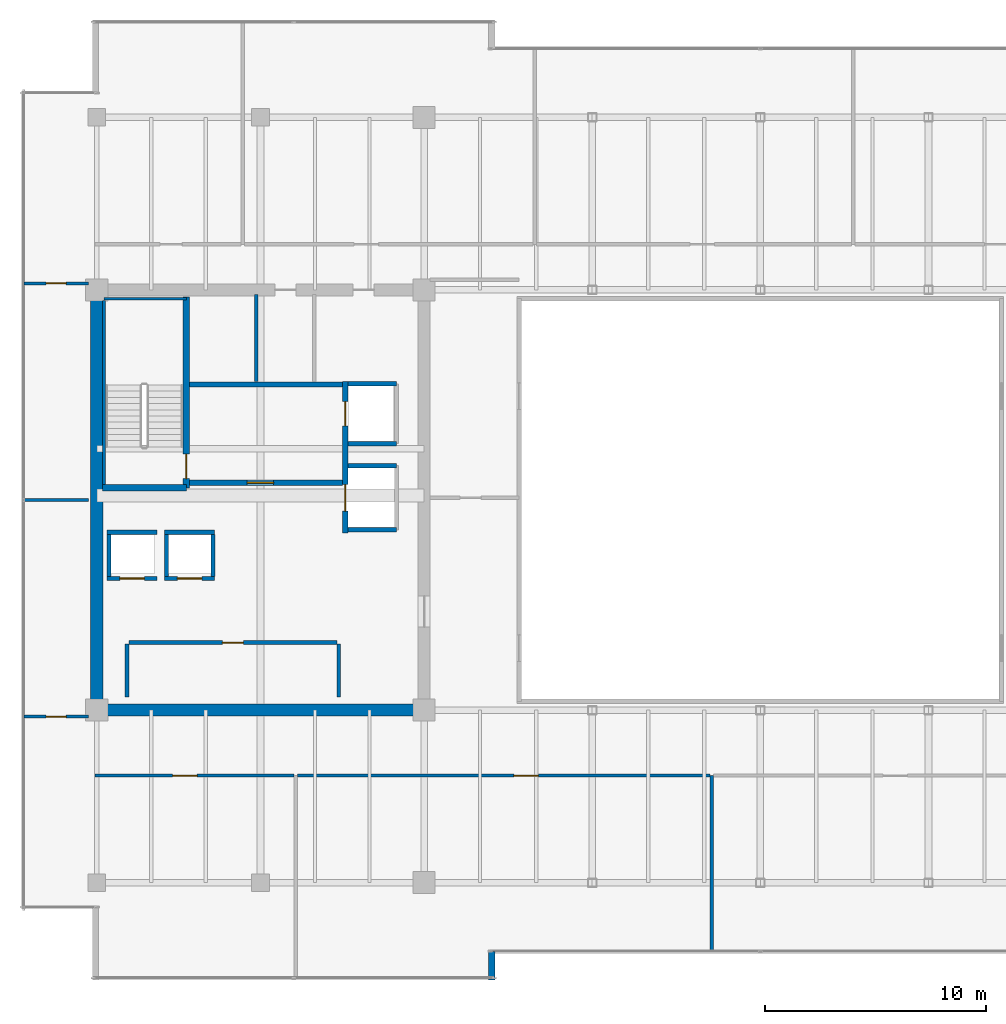
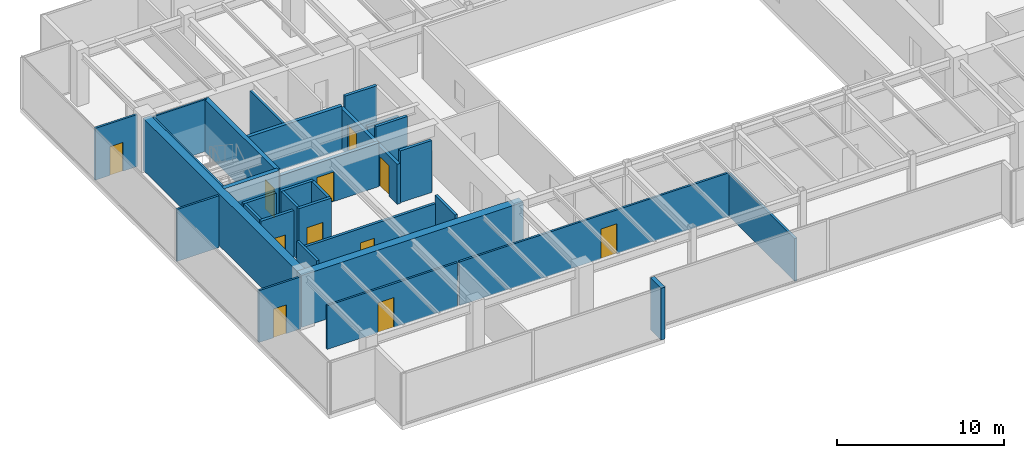
# One storey, part 28 of 33: 31 walls, 11 doors, 11 openings.
"""IFC4 building model written with IfcOpenShell, lengths in metres."""

from ifc_helpers import new_model, si_unit, direction, frame, frame_2d, origin, place, context, subcontext, project, spatial, rectangle, extrude, source, transform, mapped, material, layer, layer_set, type_object, type_shapes, element, fill, save


model = new_model("IFC4")

# Units and contexts
model_context = context("Model", 3, precision=1e-05, world=origin(), true_north=direction((0.0, 1.0)))
body_context = subcontext(model_context, "Body", "Model", "MODEL_VIEW")
ifc_project = project(units=[si_unit("LENGTHUNIT", "METRE"), si_unit("AREAUNIT", "SQUARE_METRE"), si_unit("VOLUMEUNIT", "CUBIC_METRE"), si_unit("PLANEANGLEUNIT", "RADIAN"), si_unit("MASSUNIT", "GRAM", prefix="KILO")], contexts=[model_context])

# Site, building, storey
site_placement = place(None, origin())
site = spatial("IfcSite", under=ifc_project, at=site_placement, CompositionType="ELEMENT")
building_placement = place(site_placement, origin())
building = spatial("IfcBuilding", under=site, at=building_placement, Name="Haelvirn Gate Laboratories", CompositionType="ELEMENT")
storey_placement = place(building_placement, frame((0.0, 0.0, 213.699951171875)))
storey = spatial("IfcBuildingStorey", under=building, at=storey_placement, Name="L51", CompositionType="ELEMENT", Elevation=213.699951171875)

# Walls
ifc_material_1 = material(Name="Thermally-broken bronze aluminium rainscreen & mineral wool", Category="aluminium")
ifc_layer_1 = layer(ifc_material_1, 0.280029296875, Name="EW-TERR-280")
ifc_layer_set_1 = layer_set([ifc_layer_1], Name="Thermally-broken bronze aluminium rainscreen & mineral wool")
wall_type_1 = type_object("IfcWallType", Name="EW-TERR-280", PredefinedType="STANDARD", material=ifc_layer_set_1)
wall_1_placement = place(storey_placement, frame((25.260009765625, 2.60009765625, 0.0), z_axis=(0.0, 0.0, 1.0), x_axis=(0.0, 1.0, 0.0)))
element("IfcWall", 1, at=wall_1_placement, inside=storey, type_object=wall_type_1, Name="L51 Atrium Recess Bronze Return Wall 01", PredefinedType="STANDARD", context=body_context, shape_type="SweptSolid", body=[
    extrude(rectangle(XDim=1.29296875, YDim=0.280029296875, at=frame_2d((0.646484375, 0.0))), origin(), (0.0, 0.0, 1.0), 3.800048828125),
])
ifc_material_2 = material(Name="Double-layer acoustic gypsum laboratory partition", Category="gypsum")
ifc_layer_2 = layer(ifc_material_2, 0.159912109375, Name="IW-ACOUST-160")
ifc_layer_set_2 = layer_set([ifc_layer_2], Name="Double-layer acoustic gypsum laboratory partition")
wall_type_2 = type_object("IfcWallType", Name="IW-ACOUST-160", PredefinedType="PARTITIONING", material=ifc_layer_set_2)
wall_2_placement = place(storey_placement, frame((35.199951171875, 3.909912109375, 0.0), z_axis=(0.0, 0.0, 1.0), x_axis=(0.0, 1.0, 0.0)))
element("IfcWall", 2, at=wall_2_placement, inside=storey, type_object=wall_type_2, Name="L51 Interior Wall IW-L51-SDIV-02", PredefinedType="PARTITIONING", context=body_context, shape_type="SweptSolid", body=[
    extrude(rectangle(XDim=7.93017578125, YDim=0.159912109375, at=frame_2d((3.965087890625, 0.0))), origin(), (0.0, 0.0, 1.0), 3.135009765625),
])

# Wall, opening, door
ifc_material_3 = material(Name="Acoustic mineral-wool gypsum board partition", Category="gypsum")
ifc_layer_3 = layer(ifc_material_3, 0.139892578125, Name="IW-PART-140")
ifc_layer_set_3 = layer_set([ifc_layer_3], Name="Acoustic mineral-wool gypsum board partition")
wall_type_3 = type_object("IfcWallType", Name="IW-PART-140", PredefinedType="PARTITIONING", material=ifc_layer_set_3)
wall_3_placement = place(storey_placement, frame((7.31005859375, 11.840087890625, 0.0), z_axis=(0.0, 0.0, 1.0), x_axis=(1.0, 0.0, 0.0)))
wall_3 = element("IfcWall", 3, at=wall_3_placement, inside=storey, type_object=wall_type_3, Name="L51 Interior Wall IW-L51-SCORR-01", PredefinedType="PARTITIONING", context=body_context, shape_type="SweptSolid", body=[
    extrude(rectangle(XDim=9.010009765625, YDim=0.139892578125, at=frame_2d((4.5048828125, 0.0))), origin(), (0.0, 0.0, 1.0), 3.197021484375),
])
opening_1_placement = place(wall_3_placement, frame((3.5224609375, 0.0, 0.0)))
opening_1 = element("IfcOpeningElement", 4, at=opening_1_placement, cuts=wall_3, Name="Opening D1", PredefinedType="OPENING", context=body_context, shape_type="SweptSolid", body=[
    extrude(rectangle(XDim=1.10009765625, YDim=2.179931640625, at=frame_2d((0.550048828125, 1.08984375))), frame((0.0, 0.080078125, 0.0), z_axis=(0.0, -1.0, 0.0), x_axis=(1.0, 0.0, 0.0)), (0.0, 0.0, 1.0), 0.159912109375),
])
ifc_material_4 = material(Name="Vision-panel acoustic solid-core timber lab door", Category="wood")
door_type_1 = type_object("IfcDoorType", Name="DR-LAB-1100", OperationType="NOTDEFINED", PredefinedType="DOOR", material=ifc_material_4)
shared_shape_1 = source(origin(), body_context, "Body", "SweptSolid", [
    extrude(rectangle(XDim=1.10009765625, YDim=2.179931640625, at=frame_2d((0.550048828125, 1.08984375))), frame((0.0, 0.02490234375, 0.0), z_axis=(0.0, -1.0, 0.0), x_axis=(1.0, 0.0, 0.0)), (0.0, 0.0, 1.0), 0.050048828125),
])
type_shapes(door_type_1, [shared_shape_1])
door_1_placement = place(opening_1_placement, origin())
door_1 = element("IfcDoor", 5, at=door_1_placement, inside=storey, type_object=door_type_1, Name="L51 Bioinformatics Dry-Lab Workspace Door S1", OperationType="SINGLE_SWING_RIGHT", OverallHeight=2.179931640625, OverallWidth=1.10009765625, PredefinedType="DOOR", context=body_context, shape_type="MappedRepresentation", body=[
    mapped(shared_shape_1, transform((0.0, 0.0, 0.0), scale=1.0)),
])
fill(opening_1, door_1)

wall_4_placement = place(storey_placement, frame((16.47998046875, 11.840087890625, 0.0), z_axis=(0.0, 0.0, 1.0), x_axis=(1.0, 0.0, 0.0)))
wall_4 = element("IfcWall", 6, at=wall_4_placement, inside=storey, type_object=wall_type_3, Name="L51 Interior Wall IW-L51-SCORR-02", PredefinedType="PARTITIONING", context=body_context, shape_type="SweptSolid", body=[
    extrude(rectangle(XDim=18.64013671875, YDim=0.139892578125, at=frame_2d((9.320068359375, 0.0))), origin(), (0.0, 0.0, 1.0), 3.197021484375),
])
opening_2_placement = place(wall_4_placement, frame((9.780517578125, 0.0, 0.0)))
opening_2 = element("IfcOpeningElement", 7, at=opening_2_placement, cuts=wall_4, Name="Opening D1", PredefinedType="OPENING", context=body_context, shape_type="SweptSolid", body=[
    extrude(rectangle(XDim=1.10009765625, YDim=2.179931640625, at=frame_2d((0.550048828125, 1.08984375))), frame((0.0, 0.080078125, 0.0), z_axis=(0.0, -1.0, 0.0), x_axis=(1.0, 0.0, 0.0)), (0.0, 0.0, 1.0), 0.159912109375),
])
door_2_placement = place(opening_2_placement, origin())
door_2 = element("IfcDoor", 8, at=door_2_placement, inside=storey, type_object=door_type_1, Name="L51 Translational Data Office Door S2", OperationType="SINGLE_SWING_LEFT", OverallHeight=2.179931640625, OverallWidth=1.10009765625, PredefinedType="DOOR", context=body_context, shape_type="MappedRepresentation", body=[
    mapped(shared_shape_1, transform((0.0, 0.0, 0.0), scale=1.0)),
])
fill(opening_2, door_2)

# Wall
wall_5_placement = place(storey_placement, frame((4.110107421875, 24.300048828125, 0.0), z_axis=(0.0, 0.0, 1.0), x_axis=(1.0, 0.0, 0.0)))
element("IfcWall", 9, at=wall_5_placement, inside=storey, type_object=wall_type_3, Name="L51 Interior Wall IW-L51-WZ3-MID", PredefinedType="PARTITIONING", context=body_context, shape_type="SweptSolid", body=[
    extrude(rectangle(XDim=2.909912109375, YDim=0.139892578125, at=frame_2d((1.455078125, 0.0))), origin(), (0.0, 0.0, 1.0), 3.800048828125),
])

# Wall, opening, door
wall_6_placement = place(storey_placement, frame((4.110107421875, 14.5048828125, 0.0), z_axis=(0.0, 0.0, 1.0), x_axis=(1.0, 0.0, 0.0)))
wall_6 = element("IfcWall", 10, at=wall_6_placement, inside=storey, type_object=wall_type_3, Name="L51 Interior Wall IW-L51-WZ3-ENT-S", PredefinedType="PARTITIONING", context=body_context, shape_type="SweptSolid", body=[
    extrude(rectangle(XDim=2.909912109375, YDim=0.139892578125, at=frame_2d((1.455078125, 0.0))), origin(), (0.0, 0.0, 1.0), 3.800048828125),
])
opening_3_placement = place(wall_6_placement, frame((1.0048828125, 0.0, 0.0)))
opening_3 = element("IfcOpeningElement", 11, at=opening_3_placement, cuts=wall_6, Name="Opening D4", PredefinedType="OPENING", context=body_context, shape_type="SweptSolid", body=[
    extrude(rectangle(XDim=0.89990234375, YDim=2.10009765625, at=frame_2d((0.449951171875, 1.050048828125))), frame((0.0, 0.080078125, 0.0), z_axis=(0.0, -1.0, 0.0), x_axis=(1.0, 0.0, 0.0)), (0.0, 0.0, 1.0), 0.159912109375),
])
ifc_material_5 = material(Name="Glazed aluminium-framed write-up door", Category="aluminium")
door_type_2 = type_object("IfcDoorType", Name="DR-OFF-900", OperationType="NOTDEFINED", PredefinedType="DOOR", material=ifc_material_5)
shared_shape_2 = source(origin(), body_context, "Body", "SweptSolid", [
    extrude(rectangle(XDim=0.89990234375, YDim=2.10009765625, at=frame_2d((0.449951171875, 1.050048828125))), frame((0.0, 0.02490234375, 0.0), z_axis=(0.0, -1.0, 0.0), x_axis=(1.0, 0.0, 0.0)), (0.0, 0.0, 1.0), 0.050048828125),
])
type_shapes(door_type_2, [shared_shape_2])
door_3_placement = place(opening_3_placement, origin())
door_3 = element("IfcDoor", 12, at=door_3_placement, inside=storey, type_object=door_type_2, Name="L51 Occupational Biosafety Clinic Door W-S", OperationType="SINGLE_SWING_LEFT", OverallHeight=2.10009765625, OverallWidth=0.89990234375, PredefinedType="DOOR", context=body_context, shape_type="MappedRepresentation", body=[
    mapped(shared_shape_2, transform((0.0, 0.0, 0.0), scale=1.0)),
])
fill(opening_3, door_3)

wall_7_placement = place(storey_placement, frame((4.110107421875, 34.094970703125, 0.0), z_axis=(0.0, 0.0, 1.0), x_axis=(1.0, 0.0, 0.0)))
wall_7 = element("IfcWall", 13, at=wall_7_placement, inside=storey, type_object=wall_type_3, Name="L51 Interior Wall IW-L51-WZ3-ENT-N", PredefinedType="PARTITIONING", context=body_context, shape_type="SweptSolid", body=[
    extrude(rectangle(XDim=2.909912109375, YDim=0.139892578125, at=frame_2d((1.455078125, 0.0))), origin(), (0.0, 0.0, 1.0), 3.800048828125),
])
opening_4_placement = place(wall_7_placement, frame((1.0048828125, 0.0, 0.0)))
opening_4 = element("IfcOpeningElement", 14, at=opening_4_placement, cuts=wall_7, Name="Opening D4", PredefinedType="OPENING", context=body_context, shape_type="SweptSolid", body=[
    extrude(rectangle(XDim=0.89990234375, YDim=2.10009765625, at=frame_2d((0.449951171875, 1.050048828125))), frame((0.0, 0.080078125, 0.0), z_axis=(0.0, -1.0, 0.0), x_axis=(1.0, 0.0, 0.0)), (0.0, 0.0, 1.0), 0.159912109375),
])
door_4_placement = place(opening_4_placement, origin())
door_4 = element("IfcDoor", 15, at=door_4_placement, inside=storey, type_object=door_type_2, Name="L51 Researcher Break Pantry Door W-N", OperationType="SINGLE_SWING_RIGHT", OverallHeight=2.10009765625, OverallWidth=0.89990234375, PredefinedType="DOOR", context=body_context, shape_type="MappedRepresentation", body=[
    mapped(shared_shape_2, transform((0.0, 0.0, 0.0), scale=1.0)),
])
fill(opening_4, door_4)

# Walls
ifc_material_6 = material(Name="Cement-board restroom plumbing chase wall", Category="gypsum")
ifc_layer_4 = layer(ifc_material_6, 0.155029296875, Name="IW-PLUMB-160")
ifc_layer_set_4 = layer_set([ifc_layer_4], Name="Cement-board restroom plumbing chase wall")
wall_type_4 = type_object("IfcWallType", Name="IW-PLUMB-160", PredefinedType="PLUMBINGWALL", material=ifc_layer_set_4)
wall_8_placement = place(storey_placement, frame((14.610107421875, 29.64990234375, 0.0), z_axis=(0.0, 0.0, 1.0), x_axis=(0.0, 1.0, 0.0)))
element("IfcWall", 16, at=wall_8_placement, inside=storey, type_object=wall_type_4, Name="L51 Interior Wall IW-L51-W-CDIV-0", PredefinedType="PLUMBINGWALL", context=body_context, shape_type="SweptSolid", body=[
    extrude(rectangle(XDim=3.93017578125, YDim=0.155029296875, at=frame_2d((1.965087890625, 0.0))), origin(), (0.0, 0.0, 1.0), 3.197021484375),
])
ifc_material_7 = material(Name="Concrete C40/50", Category="concrete")
ifc_layer_5 = layer(ifc_material_7, 0.179931640625, Name="IW-SHAFT-180")
ifc_layer_set_5 = layer_set([ifc_layer_5], Name="Concrete C40/50")
wall_type_5 = type_object("IfcWallType", Name="IW-SHAFT-180", PredefinedType="SOLIDWALL", material=ifc_layer_set_5)
for number, where, z_axis, x_axis, name in (
    (17, (7.949951171875, 20.85009765625, 0.0), (0.0, 0.0, 1.0), (0.0, 1.0, 0.0), "L51 Interior Wall IW-L51-PL9-SD"),
    (18, (10.550048828125, 20.85009765625, 0.0), (0.0, 0.0, 1.0), (0.0, 1.0, 0.0), "L51 Interior Wall IW-L51-PL10-SD"),
    (19, (12.64990234375, 20.85009765625, 0.0), (0.0, 0.0, 1.0), (0.0, 1.0, 0.0), "L51 Interior Wall IW-L51-PL10-SDE"),
):
    element("IfcWall", number, at=place(storey_placement, frame(where, z_axis=z_axis, x_axis=x_axis)), inside=storey, type_object=wall_type_5, Name=name, PredefinedType="SOLIDWALL", context=body_context, shape_type="SweptSolid", body=[
        extrude(rectangle(XDim=1.89990234375, YDim=0.179931640625, at=frame_2d((0.949951171875, 0.0))), origin(), (0.0, 0.0, 1.0), 3.800048828125),
    ])

# Wall, opening, door
wall_9_placement = place(storey_placement, frame((8.85009765625, 17.85009765625, 0.0), z_axis=(0.0, 0.0, 1.0), x_axis=(1.0, 0.0, 0.0)))
wall_9 = element("IfcWall", 20, at=wall_9_placement, inside=storey, type_object=wall_type_5, Name="L51 Interior Wall IW-L51-W-FREED-HN-1", PredefinedType="SOLIDWALL", context=body_context, shape_type="SweptSolid", body=[
    extrude(rectangle(XDim=9.39990234375, YDim=0.179931640625, at=frame_2d((4.699951171875, 0.0))), origin(), (0.0, 0.0, 1.0), 3.197021484375),
])
opening_5_placement = place(wall_9_placement, frame((4.22509765625, 0.0, 0.0)))
opening_5 = element("IfcOpeningElement", 21, at=opening_5_placement, cuts=wall_9, Name="Opening FD4", PredefinedType="OPENING", context=body_context, shape_type="SweptSolid", body=[
    extrude(rectangle(XDim=0.949951171875, YDim=2.14990234375, at=frame_2d((0.47509765625, 1.074951171875))), frame((0.0, 0.10009765625, 0.0), z_axis=(0.0, -1.0, 0.0), x_axis=(1.0, 0.0, 0.0)), (0.0, 0.0, 1.0), 0.199951171875),
])
ifc_material_8 = material(Name="Fire-rated steel SM355 core service door", Category="steel")
door_type_3 = type_object("IfcDoorType", Name="DR-FD-950", OperationType="NOTDEFINED", PredefinedType="DOOR", material=ifc_material_8)
shared_shape_3 = source(origin(), body_context, "Body", "SweptSolid", [
    extrude(rectangle(XDim=0.949951171875, YDim=2.14990234375, at=frame_2d((0.47509765625, 1.074951171875))), frame((0.0, 0.02490234375, 0.0), z_axis=(0.0, -1.0, 0.0), x_axis=(1.0, 0.0, 0.0)), (0.0, 0.0, 1.0), 0.050048828125),
])
type_shapes(door_type_3, [shared_shape_3])
door_5_placement = place(opening_5_placement, origin())
door_5 = element("IfcDoor", 22, at=door_5_placement, inside=storey, type_object=door_type_3, Name="L51 Core Metrology & Calibration Laboratory Door", OperationType="SINGLE_SWING_LEFT", OverallHeight=2.14990234375, OverallWidth=0.949951171875, PredefinedType="DOOR", context=body_context, shape_type="MappedRepresentation", body=[
    mapped(shared_shape_3, transform((0.0, 0.0, 0.0), scale=1.0)),
])
fill(opening_5, door_5)

# Walls
for number, where, z_axis, x_axis, name in (
    (23, (18.340087890625, 15.39990234375, 0.0), (0.0, 0.0, 1.0), (0.0, 1.0, 0.0), "L51 Interior Wall IW-L51-W-FREED-HE-1"),
    (24, (8.760009765625, 15.39990234375, 0.0), (0.0, 0.0, 1.0), (0.0, 1.0, 0.0), "L51 Interior Wall IW-L51-W-FREED-HW-1"),
):
    element("IfcWall", number, at=place(storey_placement, frame(where, z_axis=z_axis, x_axis=x_axis)), inside=storey, type_object=wall_type_5, Name=name, PredefinedType="SOLIDWALL", context=body_context, shape_type="SweptSolid", body=[
        extrude(rectangle(XDim=2.400146484375, YDim=0.179931640625, at=frame_2d((1.2001953125, 0.0))), origin(), (0.0, 0.0, 1.0), 3.800048828125),
    ])

# Wall, opening, door
ifc_layer_6 = layer(ifc_material_7, 0.199951171875, Name="IW-SHAFT-200")
ifc_layer_set_6 = layer_set([ifc_layer_6], Name="Concrete C40/50")
wall_type_6 = type_object("IfcWallType", Name="IW-SHAFT-200", PredefinedType="SOLIDWALL", material=ifc_layer_set_6)
wall_10_placement = place(storey_placement, frame((7.8701171875, 20.75, 0.0), z_axis=(0.0, 0.0, 1.0), x_axis=(1.0, 0.0, 0.0)))
wall_10 = element("IfcWall", 25, at=wall_10_placement, inside=storey, type_object=wall_type_6, Name="L51 Interior Wall IW-L51-PL9-FR", PredefinedType="SOLIDWALL", context=body_context, shape_type="SweptSolid", body=[
    extrude(rectangle(XDim=2.259765625, YDim=0.199951171875, at=frame_2d((1.1298828125, 0.0))), origin(), (0.0, 0.0, 1.0), 3.800048828125),
])
opening_6_placement = place(wall_10_placement, frame((0.580078125, 0.0, 0.0)))
opening_6 = element("IfcOpeningElement", 26, at=opening_6_placement, cuts=wall_10, Name="Opening LD2", PredefinedType="OPENING", context=body_context, shape_type="SweptSolid", body=[
    extrude(rectangle(XDim=1.10009765625, YDim=2.219970703125, at=frame_2d((0.550048828125, 1.10986328125))), frame((0.0, 0.10986328125, 0.0), z_axis=(0.0, -1.0, 0.0), x_axis=(1.0, 0.0, 0.0)), (0.0, 0.0, 1.0), 0.219970703125),
])
ifc_material_9 = material(Name="Bronze stainless 316L sliding lift landing door")
door_type_4 = type_object("IfcDoorType", Name="DR-LD-1100", OperationType="NOTDEFINED", PredefinedType="USERDEFINED", material=ifc_material_9)
shared_shape_4 = source(origin(), body_context, "Body", "SweptSolid", [
    extrude(rectangle(XDim=1.10009765625, YDim=2.219970703125, at=frame_2d((0.550048828125, 1.10986328125))), frame((0.0, 0.02490234375, 0.0), z_axis=(0.0, -1.0, 0.0), x_axis=(1.0, 0.0, 0.0)), (0.0, 0.0, 1.0), 0.050048828125),
])
type_shapes(door_type_4, [shared_shape_4])
door_6_placement = place(opening_6_placement, origin())
door_6 = element("IfcDoor", 27, at=door_6_placement, inside=storey, type_object=door_type_4, Name="L51 Passenger Lift PL9 Landing Door", ObjectType="LANDING_DOOR", OperationType="SLIDING_TO_LEFT", OverallHeight=2.219970703125, OverallWidth=1.10009765625, PredefinedType="USERDEFINED", context=body_context, shape_type="MappedRepresentation", body=[
    mapped(shared_shape_4, transform((0.0, 0.0, 0.0), scale=1.0)),
])
fill(opening_6, door_6)

# Wall
wall_11_placement = place(storey_placement, frame((7.8701171875, 22.85009765625, 0.0), z_axis=(0.0, 0.0, 1.0), x_axis=(1.0, 0.0, 0.0)))
element("IfcWall", 28, at=wall_11_placement, inside=storey, type_object=wall_type_6, Name="L51 Interior Wall IW-L51-PL9-BK", PredefinedType="SOLIDWALL", context=body_context, shape_type="SweptSolid", body=[
    extrude(rectangle(XDim=2.259765625, YDim=0.199951171875, at=frame_2d((1.1298828125, 0.0))), origin(), (0.0, 0.0, 1.0), 3.800048828125),
])

# Wall, opening, door
wall_12_placement = place(storey_placement, frame((10.469970703125, 20.75, 0.0), z_axis=(0.0, 0.0, 1.0), x_axis=(1.0, 0.0, 0.0)))
wall_12 = element("IfcWall", 29, at=wall_12_placement, inside=storey, type_object=wall_type_6, Name="L51 Interior Wall IW-L51-PL10-FR", PredefinedType="SOLIDWALL", context=body_context, shape_type="SweptSolid", body=[
    extrude(rectangle(XDim=2.260009765625, YDim=0.199951171875, at=frame_2d((1.1298828125, 0.0))), origin(), (0.0, 0.0, 1.0), 3.800048828125),
])
opening_7_placement = place(wall_12_placement, frame((0.580078125, 0.0, 0.0)))
opening_7 = element("IfcOpeningElement", 30, at=opening_7_placement, cuts=wall_12, Name="Opening LD2", PredefinedType="OPENING", context=body_context, shape_type="SweptSolid", body=[
    extrude(rectangle(XDim=1.10009765625, YDim=2.219970703125, at=frame_2d((0.550048828125, 1.10986328125))), frame((0.0, 0.10986328125, 0.0), z_axis=(0.0, -1.0, 0.0), x_axis=(1.0, 0.0, 0.0)), (0.0, 0.0, 1.0), 0.219970703125),
])
door_7_placement = place(opening_7_placement, origin())
door_7 = element("IfcDoor", 31, at=door_7_placement, inside=storey, type_object=door_type_4, Name="L51 Passenger Lift PL10 Landing Door", ObjectType="LANDING_DOOR", OperationType="SLIDING_TO_RIGHT", OverallHeight=2.219970703125, OverallWidth=1.10009765625, PredefinedType="USERDEFINED", context=body_context, shape_type="MappedRepresentation", body=[
    mapped(shared_shape_4, transform((0.0, 0.0, 0.0), scale=1.0)),
])
fill(opening_7, door_7)

# Walls
wall_13_placement = place(storey_placement, frame((10.469970703125, 22.85009765625, 0.0), z_axis=(0.0, 0.0, 1.0), x_axis=(1.0, 0.0, 0.0)))
element("IfcWall", 32, at=wall_13_placement, inside=storey, type_object=wall_type_6, Name="L51 Interior Wall IW-L51-PL10-BK", PredefinedType="SOLIDWALL", context=body_context, shape_type="SweptSolid", body=[
    extrude(rectangle(XDim=2.260009765625, YDim=0.199951171875, at=frame_2d((1.1298828125, 0.0))), origin(), (0.0, 0.0, 1.0), 3.800048828125),
])
wall_14_placement = place(storey_placement, frame((18.760009765625, 29.550048828125, 0.0), z_axis=(0.0, 0.0, 1.0), x_axis=(1.0, 0.0, 0.0)))
element("IfcWall", 33, at=wall_14_placement, inside=storey, type_object=wall_type_6, Name="L51 Interior Wall IW-L51-FL1-N", PredefinedType="SOLIDWALL", context=body_context, shape_type="SweptSolid", body=[
    extrude(rectangle(XDim=2.18994140625, YDim=0.199951171875, at=frame_2d((1.094970703125, 0.0))), origin(), (0.0, 0.0, 1.0), 3.800048828125),
])
wall_15_placement = place(storey_placement, frame((18.760009765625, 26.85009765625, 0.0), z_axis=(0.0, 0.0, 1.0), x_axis=(1.0, 0.0, 0.0)))
element("IfcWall", 34, at=wall_15_placement, inside=storey, type_object=wall_type_6, Name="L51 Interior Wall IW-L51-FL1-S", PredefinedType="SOLIDWALL", context=body_context, shape_type="SweptSolid", body=[
    extrude(rectangle(XDim=2.18994140625, YDim=0.199951171875, at=frame_2d((1.094970703125, 0.0))), origin(), (0.0, 0.0, 1.0), 3.197021484375),
])
for number, where, z_axis, x_axis, name in (
    (35, (18.760009765625, 25.85009765625, 0.0), (0.0, 0.0, 1.0), (1.0, 0.0, 0.0), "L51 Interior Wall IW-L51-SL1-N"),
    (36, (18.760009765625, 22.949951171875, 0.0), (0.0, 0.0, 1.0), (1.0, 0.0, 0.0), "L51 Interior Wall IW-L51-SL1-S"),
):
    element("IfcWall", number, at=place(storey_placement, frame(where, z_axis=z_axis, x_axis=x_axis)), inside=storey, type_object=wall_type_6, Name=name, PredefinedType="SOLIDWALL", context=body_context, shape_type="SweptSolid", body=[
        extrude(rectangle(XDim=2.18994140625, YDim=0.199951171875, at=frame_2d((1.094970703125, 0.0))), origin(), (0.0, 0.0, 1.0), 3.800048828125),
    ])

# Wall, opening, door
ifc_layer_7 = layer(ifc_material_7, 0.239990234375, Name="IW-SHAFT-240")
ifc_layer_set_7 = layer_set([ifc_layer_7], Name="Concrete C40/50")
wall_type_7 = type_object("IfcWallType", Name="IW-SHAFT-240", PredefinedType="SOLIDWALL", material=ifc_layer_set_7)
wall_16_placement = place(storey_placement, frame((11.60009765625, 25.080078125, 0.0), z_axis=(0.0, 0.0, 1.0), x_axis=(1.0, 0.0, 0.0)))
wall_16 = element("IfcWall", 37, at=wall_16_placement, inside=storey, type_object=wall_type_7, Name="L51 Interior Wall IW-L51-W-FF-S", PredefinedType="SOLIDWALL", context=body_context, shape_type="SweptSolid", body=[
    extrude(rectangle(XDim=6.919921875, YDim=0.239990234375, at=frame_2d((3.4599609375, 0.0))), origin(), (0.0, 0.0, 1.0), 3.197021484375),
])
opening_8_placement = place(wall_16_placement, frame((2.60009765625, 0.0, 0.0)))
opening_8 = element("IfcOpeningElement", 38, at=opening_8_placement, cuts=wall_16, Name="Opening FD2", PredefinedType="OPENING", context=body_context, shape_type="SweptSolid", body=[
    extrude(rectangle(XDim=1.199951171875, YDim=2.159912109375, at=frame_2d((0.60009765625, 1.080078125))), frame((0.0, 0.1298828125, 0.0), z_axis=(0.0, -1.0, 0.0), x_axis=(1.0, 0.0, 0.0)), (0.0, 0.0, 1.0), 0.260009765625),
])
ifc_material_10 = material(Name="Fire-rated steel SM355 compartment door", Category="steel")
door_type_5 = type_object("IfcDoorType", Name="DR-FD-1200", OperationType="NOTDEFINED", PredefinedType="DOOR", material=ifc_material_10)
shared_shape_5 = source(origin(), body_context, "Body", "SweptSolid", [
    extrude(rectangle(XDim=1.199951171875, YDim=2.159912109375, at=frame_2d((0.60009765625, 1.080078125))), frame((0.0, 0.02490234375, 0.0), z_axis=(0.0, -1.0, 0.0), x_axis=(1.0, 0.0, 0.0)), (0.0, 0.0, 1.0), 0.050048828125),
])
type_shapes(door_type_5, [shared_shape_5])
door_8_placement = place(opening_8_placement, origin())
door_8 = element("IfcDoor", 39, at=door_8_placement, inside=storey, type_object=door_type_5, Name="L51 West Firefighting Lobby Door", OperationType="SINGLE_SWING_RIGHT", OverallHeight=2.159912109375, OverallWidth=1.199951171875, PredefinedType="DOOR", context=body_context, shape_type="MappedRepresentation", body=[
    mapped(shared_shape_5, transform((0.0, 0.0, 0.0), scale=1.0)),
])
fill(opening_8, door_8)

# Wall
wall_17_placement = place(storey_placement, frame((11.60009765625, 29.52001953125, 0.0), z_axis=(0.0, 0.0, 1.0), x_axis=(1.0, 0.0, 0.0)))
element("IfcWall", 40, at=wall_17_placement, inside=storey, type_object=wall_type_7, Name="L51 Interior Wall IW-L51-W-FF-N", PredefinedType="SOLIDWALL", context=body_context, shape_type="SweptSolid", body=[
    extrude(rectangle(XDim=6.919921875, YDim=0.239990234375, at=frame_2d((3.4599609375, 0.0))), origin(), (0.0, 0.0, 1.0), 3.197021484375),
])

# Wall, openings, doors
wall_18_placement = place(storey_placement, frame((18.639892578125, 22.800048828125, 0.0), z_axis=(0.0, 0.0, 1.0), x_axis=(0.0, 1.0, 0.0)))
wall_18 = element("IfcWall", 41, at=wall_18_placement, inside=storey, type_object=wall_type_7, Name="L51 Interior Wall IW-L51-W-FF-E", PredefinedType="SOLIDWALL", context=body_context, shape_type="SweptSolid", body=[
    extrude(rectangle(XDim=6.849853515625, YDim=0.239990234375, at=frame_2d((3.4248046875, 0.0))), origin(), (0.0, 0.0, 1.0), 2.93505859375),
])
opening_9_placement = place(wall_18_placement, frame((4.85009765625, 0.0, 0.0)))
opening_9 = element("IfcOpeningElement", 42, at=opening_9_placement, cuts=wall_18, Name="Opening LD2", PredefinedType="OPENING", context=body_context, shape_type="SweptSolid", body=[
    extrude(rectangle(XDim=1.10009765625, YDim=2.219970703125, at=frame_2d((0.550048828125, 1.10986328125))), frame((0.0, 0.1298828125, 0.0), z_axis=(0.0, -1.0, 0.0), x_axis=(1.0, 0.0, 0.0)), (0.0, 0.0, 1.0), 0.260009765625),
])
opening_10_placement = place(wall_18_placement, frame((1.0, 0.0, 0.0)))
opening_10 = element("IfcOpeningElement", 43, at=opening_10_placement, cuts=wall_18, Name="Opening LD1", PredefinedType="OPENING", context=body_context, shape_type="SweptSolid", body=[
    extrude(rectangle(XDim=1.199951171875, YDim=2.219970703125, at=frame_2d((0.60009765625, 1.10986328125))), frame((0.0, 0.1298828125, 0.0), z_axis=(0.0, -1.0, 0.0), x_axis=(1.0, 0.0, 0.0)), (0.0, 0.0, 1.0), 0.260009765625),
])
door_9_placement = place(opening_9_placement, origin())
door_9 = element("IfcDoor", 44, at=door_9_placement, inside=storey, type_object=door_type_4, Name="L51 Firefighting Lift FL1 Landing Door", ObjectType="LANDING_DOOR", OperationType="SLIDING_TO_LEFT", OverallHeight=2.219970703125, OverallWidth=1.10009765625, PredefinedType="USERDEFINED", context=body_context, shape_type="MappedRepresentation", body=[
    mapped(shared_shape_4, transform((0.0, 0.0, 0.0), scale=1.0)),
])
fill(opening_9, door_9)
ifc_material_11 = material(Name="Stainless steel 316L sliding goods landing door", Category="steel")
door_type_6 = type_object("IfcDoorType", Name="DR-LD-1200", OperationType="NOTDEFINED", PredefinedType="USERDEFINED", material=ifc_material_11)
shared_shape_6 = source(origin(), body_context, "Body", "SweptSolid", [
    extrude(rectangle(XDim=1.199951171875, YDim=2.219970703125, at=frame_2d((0.60009765625, 1.10986328125))), frame((0.0, 0.02490234375, 0.0), z_axis=(0.0, -1.0, 0.0), x_axis=(1.0, 0.0, 0.0)), (0.0, 0.0, 1.0), 0.050048828125),
])
type_shapes(door_type_6, [shared_shape_6])
door_10_placement = place(opening_10_placement, origin())
door_10 = element("IfcDoor", 45, at=door_10_placement, inside=storey, type_object=door_type_6, Name="L51 Service Lift SL1 Landing Door", ObjectType="LANDING_DOOR", OperationType="SLIDING_TO_RIGHT", OverallHeight=2.219970703125, OverallWidth=1.199951171875, PredefinedType="USERDEFINED", context=body_context, shape_type="MappedRepresentation", body=[
    mapped(shared_shape_6, transform((0.0, 0.0, 0.0), scale=1.0)),
])
fill(opening_10, door_10)

# Walls
ifc_material_12 = material(Name="Concrete C50/60", Category="concrete")
ifc_layer_8 = layer(ifc_material_12, 0.550048828125, Name="SW-CORE-550")
ifc_layer_set_8 = layer_set([ifc_layer_8], Name="Concrete C50/60")
wall_type_8 = type_object("IfcWallType", Name="SW-CORE-550", PredefinedType="SHEAR", material=ifc_layer_set_8)
wall_19_placement = place(storey_placement, frame((7.125, 14.800048828125, 0.0), z_axis=(0.0, 0.0, 1.0), x_axis=(1.0, 0.0, 0.0)))
element("IfcWall", 46, at=wall_19_placement, inside=storey, type_object=wall_type_8, Name="L51 W Core Shear Wall S", PredefinedType="SHEAR", context=body_context, shape_type="SweptSolid", body=[
    extrude(rectangle(XDim=15.35009765625, YDim=0.550048828125, at=frame_2d((7.675048828125, 0.0))), origin(), (0.0, 0.0, 1.0), 3.800048828125),
])
wall_20_placement = place(storey_placement, frame((7.39990234375, 15.074951171875, 0.0), z_axis=(0.0, 0.0, 1.0), x_axis=(0.0, 1.0, 0.0)))
element("IfcWall", 47, at=wall_20_placement, inside=storey, type_object=wall_type_8, Name="L51 W Core Shear Wall W", PredefinedType="SHEAR", context=body_context, shape_type="SweptSolid", body=[
    extrude(rectangle(XDim=18.449951171875, YDim=0.550048828125, at=frame_2d((9.22509765625, 0.0))), origin(), (0.0, 0.0, 1.0), 3.800048828125),
])
ifc_layer_9 = layer(ifc_material_12, 0.1201171875, Name="SW-LINER-120")
ifc_layer_set_9 = layer_set([ifc_layer_9], Name="Concrete C50/60")
wall_type_9 = type_object("IfcWallType", Name="SW-LINER-120", PredefinedType="SOLIDWALL", material=ifc_layer_set_9)
wall_21_placement = place(storey_placement, frame((7.72998046875, 33.39990234375, 0.0), z_axis=(0.0, 0.0, 1.0), x_axis=(1.0, 0.0, 0.0)))
element("IfcWall", 48, at=wall_21_placement, inside=storey, type_object=wall_type_9, Name="L51 W Core Stair Shaft Liner Wall N", PredefinedType="SOLIDWALL", context=body_context, shape_type="SweptSolid", body=[
    extrude(rectangle(XDim=3.719970703125, YDim=0.1201171875, at=frame_2d((1.85986328125, 0.0))), origin(), (0.0, 0.0, 1.0), 3.800048828125),
])
wall_22_placement = place(storey_placement, frame((7.72998046875, 25.0, 0.0), z_axis=(0.0, 0.0, 1.0), x_axis=(0.0, 1.0, 0.0)))
element("IfcWall", 49, at=wall_22_placement, inside=storey, type_object=wall_type_9, Name="L51 W Core Stair Shaft Liner Wall OUT", PredefinedType="SOLIDWALL", context=body_context, shape_type="SweptSolid", body=[
    extrude(rectangle(XDim=8.320068359375, YDim=0.1201171875, at=frame_2d((4.16015625, 0.0))), origin(), (0.0, 0.0, 1.0), 3.800048828125),
])

# Wall, opening, door
ifc_layer_10 = layer(ifc_material_12, 0.300048828125, Name="SW-STAIR-300")
ifc_layer_set_10 = layer_set([ifc_layer_10], Name="Concrete C50/60")
wall_type_10 = type_object("IfcWallType", Name="SW-STAIR-300", PredefinedType="SHEAR", material=ifc_layer_set_10)
wall_23_placement = place(storey_placement, frame((11.449951171875, 24.85009765625, 0.0), z_axis=(0.0, 0.0, 1.0), x_axis=(0.0, 1.0, 0.0)))
wall_23 = element("IfcWall", 50, at=wall_23_placement, inside=storey, type_object=wall_type_10, Name="L51 W Core Stair Shaft Structural Wall IN", PredefinedType="SHEAR", context=body_context, shape_type="SweptSolid", body=[
    extrude(rectangle(XDim=8.6298828125, YDim=0.300048828125, at=frame_2d((4.31494140625, 0.0))), origin(), (0.0, 0.0, 1.0), 3.800048828125),
])
opening_11_placement = place(wall_23_placement, frame((0.419921875, 0.0, 0.0)))
opening_11 = element("IfcOpeningElement", 51, at=opening_11_placement, cuts=wall_23, Name="Opening FD3", PredefinedType="OPENING", context=body_context, shape_type="SweptSolid", body=[
    extrude(rectangle(XDim=1.10009765625, YDim=2.14990234375, at=frame_2d((0.550048828125, 1.074951171875))), frame((0.0, 0.16015625, 0.0), z_axis=(0.0, -1.0, 0.0), x_axis=(1.0, 0.0, 0.0)), (0.0, 0.0, 1.0), 0.320068359375),
])
ifc_material_13 = material(Name="Fire-rated steel SM355 escape stair door", Category="steel")
door_type_7 = type_object("IfcDoorType", Name="DR-FD-1100", OperationType="NOTDEFINED", PredefinedType="DOOR", material=ifc_material_13)
shared_shape_7 = source(origin(), body_context, "Body", "SweptSolid", [
    extrude(rectangle(XDim=1.10009765625, YDim=2.14990234375, at=frame_2d((0.550048828125, 1.074951171875))), frame((0.0, 0.02490234375, 0.0), z_axis=(0.0, -1.0, 0.0), x_axis=(1.0, 0.0, 0.0)), (0.0, 0.0, 1.0), 0.050048828125),
])
type_shapes(door_type_7, [shared_shape_7])
door_11_placement = place(opening_11_placement, origin())
door_11 = element("IfcDoor", 52, at=door_11_placement, inside=storey, type_object=door_type_7, Name="L51 Escape Stair ST1 Fire Door", OperationType="SINGLE_SWING_LEFT", OverallHeight=2.14990234375, OverallWidth=1.10009765625, PredefinedType="DOOR", context=body_context, shape_type="MappedRepresentation", body=[
    mapped(shared_shape_7, transform((0.0, 0.0, 0.0), scale=1.0)),
])
fill(opening_11, door_11)

# Wall
wall_24_placement = place(storey_placement, frame((7.64990234375, 24.85009765625, 0.0), z_axis=(0.0, 0.0, 1.0), x_axis=(1.0, 0.0, 0.0)))
element("IfcWall", 53, at=wall_24_placement, inside=storey, type_object=wall_type_10, Name="L51 W Core Stair Shaft Structural Wall S", PredefinedType="SHEAR", context=body_context, shape_type="SweptSolid", body=[
    extrude(rectangle(XDim=3.800048828125, YDim=0.300048828125, at=frame_2d((1.89990234375, 0.0))), origin(), (0.0, 0.0, 1.0), 3.800048828125),
])

save(model, "model.ifc")
